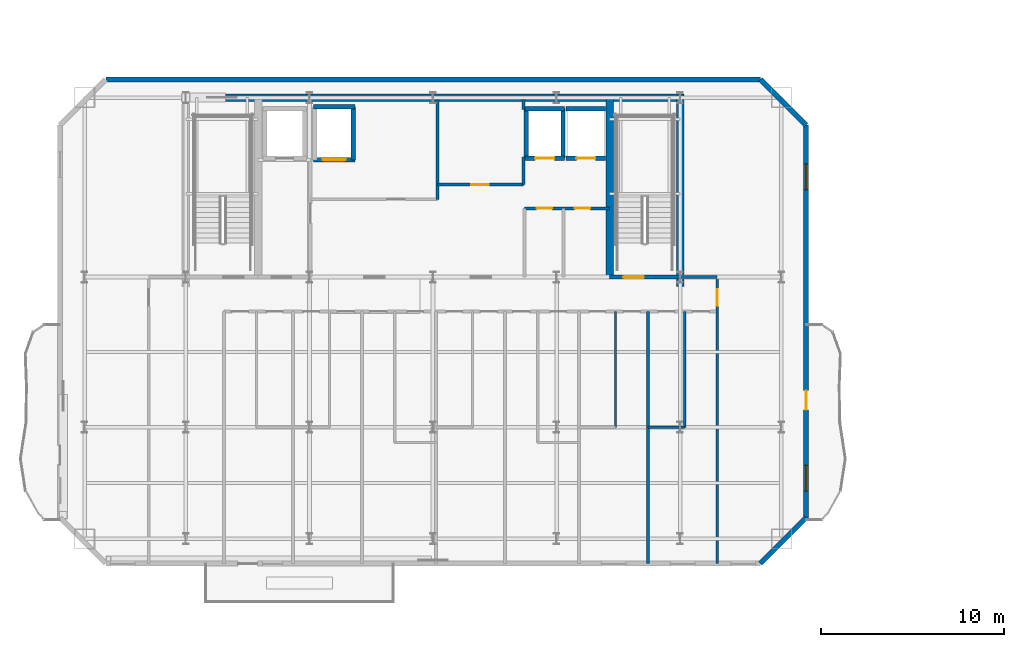
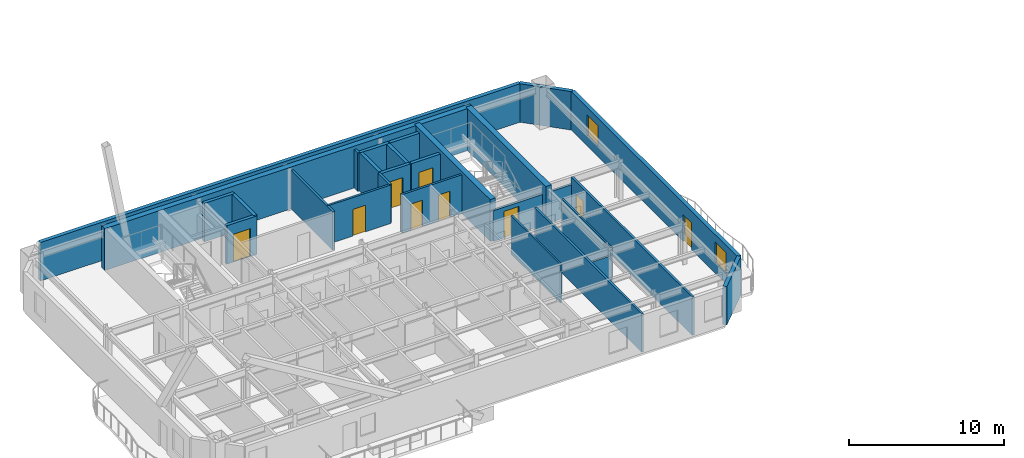
# One storey, part 7 of 14: 28 walls, 9 doors, 2 windows, 11 openings.
"""IFC4 building model written with IfcOpenShell, lengths in metres."""

from ifc_helpers import new_model, si_unit, direction, frame, frame_2d, origin, place, context, subcontext, project, spatial, rectangle, extrude, material, layer, layer_set, type_object, element, fill, save


model = new_model("IFC4")

# Units and contexts
model_context = context("Model", 3, precision=1e-05, world=origin(), true_north=direction((0.0, 1.0)))
body_context = subcontext(model_context, "Body", "Model", "MODEL_VIEW")
ifc_project = project(units=[si_unit("LENGTHUNIT", "METRE"), si_unit("AREAUNIT", "SQUARE_METRE"), si_unit("VOLUMEUNIT", "CUBIC_METRE"), si_unit("PLANEANGLEUNIT", "RADIAN"), si_unit("MASSUNIT", "GRAM", prefix="KILO")], contexts=[model_context])

# Site, building, storey
site_placement = place(None, origin())
site = spatial("IfcSite", under=ifc_project, at=site_placement, CompositionType="ELEMENT")
building_placement = place(site_placement, origin())
building = spatial("IfcBuilding", under=site, at=building_placement, Name="Haevon Station Towers", CompositionType="ELEMENT")
storey_placement = place(building_placement, frame((0.0, 0.0, 208.800048828125)))
storey = spatial("IfcBuildingStorey", under=building, at=storey_placement, Name="L57", CompositionType="ELEMENT", Elevation=208.800048828125)

# Wall
ifc_material_1 = material(Name="Gypsum board on steel stud", Category="steel")
ifc_layer_1 = layer(ifc_material_1, 0.179931640625)
ifc_layer_set_1 = layer_set([ifc_layer_1], Name="Gypsum board on steel stud")
wall_type_1 = type_object("IfcWallType", Name="WL-ACU180", PredefinedType="PARTITIONING", material=ifc_layer_set_1)
wall_1_placement = place(storey_placement, frame((51.0, 38.199951171875, 0.0), z_axis=(0.0, 0.0, 1.0), x_axis=(1.0, 0.0, 0.0)))
element("IfcWall", 1, at=wall_1_placement, inside=storey, type_object=wall_type_1, Name="WL-T1PT-L57-03", PredefinedType="PARTITIONING", context=body_context, shape_type="SweptSolid", body=[
    extrude(rectangle(XDim=2.02490234375, YDim=0.179931640625, at=frame_2d((1.012451171875, 0.0))), origin(), (0.0, 0.0, 1.0), 2.429931640625),
])

# Wall, opening, door
ifc_layer_2 = layer(ifc_material_1, 0.199951171875)
ifc_layer_set_2 = layer_set([ifc_layer_2], Name="Gypsum board on steel stud")
wall_type_2 = type_object("IfcWallType", Name="WL-COR200", PredefinedType="PARTITIONING", material=ifc_layer_set_2)
wall_2_placement = place(storey_placement, frame((47.14990234375, 38.199951171875, 0.0), z_axis=(0.0, 0.0, 1.0), x_axis=(1.0, 0.0, 0.0)))
wall_2 = element("IfcWall", 2, at=wall_2_placement, inside=storey, type_object=wall_type_2, Name="WL-ST-ST2-L57", PredefinedType="PARTITIONING", context=body_context, shape_type="SweptSolid", body=[
    extrude(rectangle(XDim=3.85009765625, YDim=0.199951171875, at=frame_2d((1.925048828125, 0.0))), origin(), (0.0, 0.0, 1.0), 2.429931640625),
])
opening_1_placement = place(wall_2_placement, frame((0.75, 0.0, 0.0)))
opening_1 = element("IfcOpeningElement", 3, at=opening_1_placement, cuts=wall_2, Name="Opening DR-ST-ST2-L57", PredefinedType="OPENING", context=body_context, shape_type="SweptSolid", body=[
    extrude(rectangle(XDim=1.1201171875, YDim=2.10009765625, at=frame_2d((0.56005859375, 1.050048828125))), frame((0.0, 0.10986328125, 0.0), z_axis=(0.0, -1.0, 0.0), x_axis=(1.0, 0.0, 0.0)), (0.0, 0.0, 1.0), 0.219970703125),
])
ifc_material_2 = material(Name="Engineered oak timber", Category="wood")
door_type_1 = type_object("IfcDoorType", Name="DR-ST-1120", OperationType="NOTDEFINED", PredefinedType="DOOR", material=ifc_material_2)
door_1_placement = place(opening_1_placement, origin())
door_1 = element("IfcDoor", 4, at=door_1_placement, inside=storey, type_object=door_type_1, Name="L57 Escape Stair ST2 Fire Door", OperationType="SINGLE_SWING_RIGHT", OverallHeight=2.10009765625, OverallWidth=1.1201171875, PredefinedType="DOOR", context=body_context, shape_type="SweptSolid", body=[
    extrude(rectangle(XDim=1.1201171875, YDim=2.10009765625, at=frame_2d((0.56005859375, 1.050048828125))), frame((0.0, 0.02490234375, 0.0), z_axis=(0.0, -1.0, 0.0), x_axis=(1.0, 0.0, 0.0)), (0.0, 0.0, 1.0), 0.050048828125),
])
fill(opening_1, door_1)

# Walls
ifc_material_3 = material(Name="Concrete C60/75", Category="concrete")
ifc_layer_3 = layer(ifc_material_3, 0.39990234375)
ifc_layer_set_3 = layer_set([ifc_layer_3], Name="Concrete C60/75")
wall_type_3 = type_object("IfcWallType", Name="WL-CR400", PredefinedType="SHEAR", material=ifc_layer_set_3)
wall_3_placement = place(storey_placement, frame((23.800048828125, 48.0, 0.0), z_axis=(0.0, 0.0, 1.0), x_axis=(1.0, 0.0, 0.0)))
element("IfcWall", 5, at=wall_3_placement, inside=storey, type_object=wall_type_3, Name="WL-T1CR-L57-N", PredefinedType="SHEAR", context=body_context, shape_type="SweptSolid", body=[
    extrude(rectangle(XDim=27.39990234375, YDim=0.39990234375, at=frame_2d((13.699951171875, 0.0))), origin(), (0.0, 0.0, 1.0), 3.300048828125),
])
wall_4_placement = place(storey_placement, frame((51.0, 37.679931640625, 0.0), z_axis=(0.0, 0.0, 1.0), x_axis=(0.0, 1.0, 0.0)))
element("IfcWall", 6, at=wall_4_placement, inside=storey, type_object=wall_type_3, Name="WL-T1CR-L57-E", PredefinedType="SHEAR", context=body_context, shape_type="SweptSolid", body=[
    extrude(rectangle(XDim=10.320068359375, YDim=0.39990234375, at=frame_2d((5.16015625, 0.0))), origin(), (0.0, 0.0, 1.0), 3.300048828125),
])
wall_5_placement = place(storey_placement, frame((47.14990234375, 38.199951171875, 0.0), z_axis=(0.0, 0.0, 1.0), x_axis=(0.0, 1.0, 0.0)))
element("IfcWall", 7, at=wall_5_placement, inside=storey, type_object=wall_type_3, Name="WL-T1CR-L57-M2", PredefinedType="SHEAR", context=body_context, shape_type="SweptSolid", body=[
    extrude(rectangle(XDim=9.800048828125, YDim=0.39990234375, at=frame_2d((4.89990234375, 0.0))), origin(), (0.0, 0.0, 1.0), 3.300048828125),
])
ifc_material_4 = material(Name="Precast concrete C45/55", Category="concrete")
ifc_layer_4 = layer(ifc_material_4, 0.280029296875)
ifc_layer_set_4 = layer_set([ifc_layer_4], Name="Precast concrete C45/55")
wall_type_4 = type_object("IfcWallType", Name="WL-EXT-PIER280", PredefinedType="SOLIDWALL", material=ifc_layer_set_4)
wall_6_placement = place(storey_placement, frame((19.625, 49.0, 0.0), z_axis=(0.0, 0.0, 1.0), x_axis=(1.0, 0.0, 0.0)))
element("IfcWall", 8, at=wall_6_placement, inside=storey, type_object=wall_type_4, Name="WL-T1-L57-N", PredefinedType="SOLIDWALL", context=body_context, shape_type="SweptSolid", body=[
    extrude(rectangle(XDim=35.75, YDim=0.280029296875, at=frame_2d((17.875, 0.0))), origin(), (0.0, 0.0, 1.0), 3.030029296875),
])
wall_7_placement = place(storey_placement, frame((55.375, 49.0, 0.0), z_axis=(0.0, 0.0, 1.0), x_axis=(0.707106781187, -0.707106781187, 0.0)))
element("IfcWall", 9, at=wall_7_placement, inside=storey, type_object=wall_type_4, Name="WL-T1-L57-NEC", PredefinedType="SOLIDWALL", context=body_context, shape_type="SweptSolid", body=[
    extrude(rectangle(XDim=3.53564453125, YDim=0.280029296875, at=frame_2d((1.767822265625, 0.0))), origin(), (0.0, 0.0, 1.0), 3.030029296875),
])

# Wall, openings, door, windows
wall_8_placement = place(storey_placement, frame((57.875, 46.5, 0.0), z_axis=(0.0, 0.0, 1.0), x_axis=(0.0, -1.0, 0.0)))
wall_8 = element("IfcWall", 10, at=wall_8_placement, inside=storey, type_object=wall_type_4, Name="WL-T1-L57-E", PredefinedType="SOLIDWALL", context=body_context, shape_type="SweptSolid", body=[
    extrude(rectangle(XDim=21.449951171875, YDim=0.280029296875, at=frame_2d((10.72509765625, 0.0))), origin(), (0.0, 0.0, 1.0), 3.030029296875),
])
opening_2_placement = place(wall_8_placement, frame((14.5, 0.0, 0.0)))
opening_2 = element("IfcOpeningElement", 11, at=opening_2_placement, cuts=wall_8, Name="Opening DR-T1-SCAL-L57-E", PredefinedType="OPENING", context=body_context, shape_type="SweptSolid", body=[
    extrude(rectangle(XDim=1.050048828125, YDim=2.10009765625, at=frame_2d((0.52490234375, 1.050048828125))), frame((0.0, 0.14990234375, 0.0), z_axis=(0.0, -1.0, 0.0), x_axis=(1.0, 0.0, 0.0)), (0.0, 0.0, 1.0), 0.300048828125),
])
opening_3_placement = place(wall_8_placement, frame((2.117919921875, 0.0, 0.800048828125)))
opening_3 = element("IfcOpeningElement", 12, at=opening_3_placement, cuts=wall_8, Name="Opening WN-END140", PredefinedType="OPENING", context=body_context, shape_type="SweptSolid", body=[
    extrude(rectangle(XDim=1.39990234375, YDim=1.64990234375, at=frame_2d((0.699951171875, 0.824951171875))), frame((0.0, 0.14990234375, 0.0), z_axis=(0.0, -1.0, 0.0), x_axis=(1.0, 0.0, 0.0)), (0.0, 0.0, 1.0), 0.300048828125),
])
opening_4_placement = place(wall_8_placement, frame((18.591064453125, 0.0, 0.800048828125)))
opening_4 = element("IfcOpeningElement", 13, at=opening_4_placement, cuts=wall_8, Name="Opening WN-END140", PredefinedType="OPENING", context=body_context, shape_type="SweptSolid", body=[
    extrude(rectangle(XDim=1.39990234375, YDim=1.64990234375, at=frame_2d((0.699951171875, 0.824951171875))), frame((0.0, 0.14990234375, 0.0), z_axis=(0.0, -1.0, 0.0), x_axis=(1.0, 0.0, 0.0)), (0.0, 0.0, 1.0), 0.300048828125),
])
ifc_material_5 = material(Name="Thermally broken anodised aluminium and laminated safety glass", Category="aluminium")
door_type_2 = type_object("IfcDoorType", Name="DR-BALC-1050", OperationType="NOTDEFINED", PredefinedType="DOOR", material=ifc_material_5)
door_2_placement = place(opening_2_placement, origin())
door_2 = element("IfcDoor", 14, at=door_2_placement, inside=storey, type_object=door_type_2, Name="Tower 1 L57 East Scalloped Balcony Door", OperationType="SINGLE_SWING_LEFT", OverallHeight=2.10009765625, OverallWidth=1.050048828125, PredefinedType="DOOR", context=body_context, shape_type="SweptSolid", body=[
    extrude(rectangle(XDim=1.050048828125, YDim=2.10009765625, at=frame_2d((0.52490234375, 1.050048828125))), frame((0.0, 0.02490234375, 0.0), z_axis=(0.0, -1.0, 0.0), x_axis=(1.0, 0.0, 0.0)), (0.0, 0.0, 1.0), 0.050048828125),
])
fill(opening_2, door_2)
ifc_material_6 = material(Name="Low-E triple glazing in thermally broken aluminium", Category="aluminium")
window_type = type_object("IfcWindowType", Name="WN-END140", PartitioningType="SINGLE_PANEL", PredefinedType="WINDOW", material=ifc_material_6)
window_1_placement = place(opening_3_placement, origin())
window_1 = element("IfcWindow", 15, at=window_1_placement, inside=storey, type_object=window_type, Name="WN-T1-L57-E01", OverallHeight=1.64990234375, OverallWidth=1.39990234375, PartitioningType="SINGLE_PANEL", PredefinedType="WINDOW", context=body_context, shape_type="SweptSolid", body=[
    extrude(rectangle(XDim=1.39990234375, YDim=1.64990234375, at=frame_2d((0.699951171875, 0.824951171875))), frame((0.0, 0.030029296875, 0.0), z_axis=(0.0, -1.0, 0.0), x_axis=(1.0, 0.0, 0.0)), (0.0, 0.0, 1.0), 0.06005859375),
])
fill(opening_3, window_1)
window_2_placement = place(opening_4_placement, origin())
window_2 = element("IfcWindow", 16, at=window_2_placement, inside=storey, type_object=window_type, Name="WN-T1-L57-E02", OverallHeight=1.64990234375, OverallWidth=1.39990234375, PartitioningType="SINGLE_PANEL", PredefinedType="WINDOW", context=body_context, shape_type="SweptSolid", body=[
    extrude(rectangle(XDim=1.39990234375, YDim=1.64990234375, at=frame_2d((0.699951171875, 0.824951171875))), frame((0.0, 0.030029296875, 0.0), z_axis=(0.0, -1.0, 0.0), x_axis=(1.0, 0.0, 0.0)), (0.0, 0.0, 1.0), 0.06005859375),
])
fill(opening_4, window_2)

# Walls
wall_9_placement = place(storey_placement, frame((57.875, 25.050048828125, 0.0), z_axis=(0.0, 0.0, 1.0), x_axis=(-0.707106781187, -0.707106781187, 0.0)))
element("IfcWall", 17, at=wall_9_placement, inside=storey, type_object=wall_type_4, Name="WL-T1-L57-SEC", PredefinedType="SOLIDWALL", context=body_context, shape_type="SweptSolid", body=[
    extrude(rectangle(XDim=3.53564453125, YDim=0.280029296875, at=frame_2d((1.767822265625, 0.0))), origin(), (0.0, 0.0, 1.0), 3.030029296875),
])
ifc_layer_5 = layer(ifc_material_1, 0.125)
ifc_layer_set_5 = layer_set([ifc_layer_5], Name="Gypsum board on steel stud")
wall_type_5 = type_object("IfcWallType", Name="WL-PRT125", PredefinedType="PARTITIONING", material=ifc_layer_set_5)
wall_10_placement = place(storey_placement, frame((47.47265625, 29.990966796875, 0.0), z_axis=(0.0, 0.0, 1.0), x_axis=(0.0, 1.0, 0.0)))
element("IfcWall", 18, at=wall_10_placement, inside=storey, type_object=wall_type_5, Name="WL-T1PT-L57-22", PredefinedType="PARTITIONING", context=body_context, shape_type="SweptSolid", body=[
    extrude(rectangle(XDim=6.3291015625, YDim=0.125, at=frame_2d((3.16455078125, 0.0))), origin(), (0.0, 0.0, 1.0), 3.030029296875),
])
wall_11_placement = place(storey_placement, frame((49.252685546875, 29.990966796875, 0.0), z_axis=(0.0, 0.0, 1.0), x_axis=(1.0, 0.0, 0.0)))
element("IfcWall", 19, at=wall_11_placement, inside=storey, type_object=wall_type_5, Name="WL-T1PT-L57-24", PredefinedType="PARTITIONING", context=body_context, shape_type="SweptSolid", body=[
    extrude(rectangle(XDim=1.992431640625, YDim=0.125, at=frame_2d((0.99609375, 0.0))), origin(), (0.0, 0.0, 1.0), 2.429931640625),
])
wall_12_placement = place(storey_placement, frame((51.2451171875, 29.990966796875, 0.0), z_axis=(0.0, 0.0, 1.0), x_axis=(0.0, 1.0, 0.0)))
element("IfcWall", 20, at=wall_12_placement, inside=storey, type_object=wall_type_5, Name="WL-T1PT-L57-25", PredefinedType="PARTITIONING", context=body_context, shape_type="SweptSolid", body=[
    extrude(rectangle(XDim=6.3291015625, YDim=0.125, at=frame_2d((3.16455078125, 0.0))), origin(), (0.0, 0.0, 1.0), 3.030029296875),
])
ifc_layer_6 = layer(ifc_material_1, 0.159912109375)
ifc_layer_set_6 = layer_set([ifc_layer_6], Name="Gypsum board on steel stud")
wall_type_6 = type_object("IfcWallType", Name="WL-PRT160", PredefinedType="PARTITIONING", material=ifc_layer_set_6)
wall_13_placement = place(storey_placement, frame((37.75, 42.449951171875, 0.0), z_axis=(0.0, 0.0, 1.0), x_axis=(0.0, 1.0, 0.0)))
element("IfcWall", 21, at=wall_13_placement, inside=storey, type_object=wall_type_6, Name="WL-T1CW-L57-02", PredefinedType="PARTITIONING", context=body_context, shape_type="SweptSolid", body=[
    extrude(rectangle(XDim=5.449951171875, YDim=0.159912109375, at=frame_2d((2.72509765625, 0.0))), origin(), (0.0, 0.0, 1.0), 3.030029296875),
])

# Wall, opening, door
wall_14_placement = place(storey_placement, frame((37.75, 43.25, 0.0), z_axis=(0.0, 0.0, 1.0), x_axis=(1.0, 0.0, 0.0)))
wall_14 = element("IfcWall", 22, at=wall_14_placement, inside=storey, type_object=wall_type_6, Name="WL-T1CW-L57-03", PredefinedType="PARTITIONING", context=body_context, shape_type="SweptSolid", body=[
    extrude(rectangle(XDim=4.699951171875, YDim=0.159912109375, at=frame_2d((2.35009765625, 0.0))), origin(), (0.0, 0.0, 1.0), 3.030029296875),
])
opening_5_placement = place(wall_14_placement, frame((1.85009765625, 0.0, 0.0)))
opening_5 = element("IfcOpeningElement", 23, at=opening_5_placement, cuts=wall_14, Name="Opening DR-WL-T1CW-L57-03-1", PredefinedType="OPENING", context=body_context, shape_type="SweptSolid", body=[
    extrude(rectangle(XDim=0.949951171875, YDim=2.10009765625, at=frame_2d((0.47509765625, 1.050048828125))), frame((0.0, 0.08984375, 0.0), z_axis=(0.0, -1.0, 0.0), x_axis=(1.0, 0.0, 0.0)), (0.0, 0.0, 1.0), 0.179931640625),
])
door_type_3 = type_object("IfcDoorType", Name="DR-FD60-950", OperationType="NOTDEFINED", PredefinedType="DOOR", material=ifc_material_2)
door_3_placement = place(opening_5_placement, origin())
door_3 = element("IfcDoor", 24, at=door_3_placement, inside=storey, type_object=door_type_3, Name="L57 Tower 1 Core Room Door 3-1", OperationType="SINGLE_SWING_RIGHT", OverallHeight=2.10009765625, OverallWidth=0.949951171875, PredefinedType="DOOR", context=body_context, shape_type="SweptSolid", body=[
    extrude(rectangle(XDim=0.949951171875, YDim=2.10009765625, at=frame_2d((0.47509765625, 1.050048828125))), frame((0.0, 0.02490234375, 0.0), z_axis=(0.0, -1.0, 0.0), x_axis=(1.0, 0.0, 0.0)), (0.0, 0.0, 1.0), 0.050048828125),
])
fill(opening_5, door_3)

# Walls
wall_15_placement = place(storey_placement, frame((42.449951171875, 43.25, 0.0), z_axis=(0.0, 0.0, 1.0), x_axis=(0.0, 1.0, 0.0)))
element("IfcWall", 25, at=wall_15_placement, inside=storey, type_object=wall_type_6, Name="WL-T1CW-L57-04", PredefinedType="PARTITIONING", context=body_context, shape_type="SweptSolid", body=[
    extrude(rectangle(XDim=1.5, YDim=0.159912109375, at=frame_2d((0.75, 0.0))), origin(), (0.0, 0.0, 1.0), 3.030029296875),
])
wall_16_placement = place(storey_placement, frame((42.449951171875, 47.35009765625, 0.0), z_axis=(0.0, 0.0, 1.0), x_axis=(0.0, 1.0, 0.0)))
element("IfcWall", 26, at=wall_16_placement, inside=storey, type_object=wall_type_6, Name="WL-T1CW-L57-05", PredefinedType="PARTITIONING", context=body_context, shape_type="SweptSolid", body=[
    extrude(rectangle(XDim=0.5498046875, YDim=0.159912109375, at=frame_2d((0.27490234375, 0.0))), origin(), (0.0, 0.0, 1.0), 3.030029296875),
])

# Wall, openings, doors
wall_17_placement = place(storey_placement, frame((42.5, 41.949951171875, 0.0), z_axis=(0.0, 0.0, 1.0), x_axis=(1.0, 0.0, 0.0)))
wall_17 = element("IfcWall", 27, at=wall_17_placement, inside=storey, type_object=wall_type_6, Name="WL-T1CW-L57-08", PredefinedType="PARTITIONING", context=body_context, shape_type="SweptSolid", body=[
    extrude(rectangle(XDim=4.64990234375, YDim=0.159912109375, at=frame_2d((2.324951171875, 0.0))), origin(), (0.0, 0.0, 1.0), 3.030029296875),
])
opening_6_placement = place(wall_17_placement, frame((0.659912109375, 0.0, 0.0)))
opening_6 = element("IfcOpeningElement", 28, at=opening_6_placement, cuts=wall_17, Name="Opening DR-WL-T1CW-L57-08-1", PredefinedType="OPENING", context=body_context, shape_type="SweptSolid", body=[
    extrude(rectangle(XDim=0.85009765625, YDim=2.050048828125, at=frame_2d((0.425048828125, 1.02490234375))), frame((0.0, 0.08984375, 0.0), z_axis=(0.0, -1.0, 0.0), x_axis=(1.0, 0.0, 0.0)), (0.0, 0.0, 1.0), 0.179931640625),
])
opening_7_placement = place(wall_17_placement, frame((2.72998046875, 0.0, 0.0)))
opening_7 = element("IfcOpeningElement", 29, at=opening_7_placement, cuts=wall_17, Name="Opening DR-WL-T1CW-L57-08-2", PredefinedType="OPENING", context=body_context, shape_type="SweptSolid", body=[
    extrude(rectangle(XDim=0.85009765625, YDim=2.050048828125, at=frame_2d((0.425048828125, 1.02490234375))), frame((0.0, 0.08984375, 0.0), z_axis=(0.0, -1.0, 0.0), x_axis=(1.0, 0.0, 0.0)), (0.0, 0.0, 1.0), 0.179931640625),
])
door_type_4 = type_object("IfcDoorType", Name="DR-FD30-850", OperationType="NOTDEFINED", PredefinedType="DOOR", material=ifc_material_2)
door_4_placement = place(opening_6_placement, origin())
door_4 = element("IfcDoor", 30, at=door_4_placement, inside=storey, type_object=door_type_4, Name="L57 Tower 1 Core Room Door 8-1", OperationType="SINGLE_SWING_LEFT", OverallHeight=2.050048828125, OverallWidth=0.85009765625, PredefinedType="DOOR", context=body_context, shape_type="SweptSolid", body=[
    extrude(rectangle(XDim=0.85009765625, YDim=2.050048828125, at=frame_2d((0.425048828125, 1.02490234375))), frame((0.0, 0.02490234375, 0.0), z_axis=(0.0, -1.0, 0.0), x_axis=(1.0, 0.0, 0.0)), (0.0, 0.0, 1.0), 0.050048828125),
])
fill(opening_6, door_4)
door_5_placement = place(opening_7_placement, origin())
door_5 = element("IfcDoor", 31, at=door_5_placement, inside=storey, type_object=door_type_4, Name="L57 Tower 1 Core Room Door 8-2", OperationType="SINGLE_SWING_RIGHT", OverallHeight=2.050048828125, OverallWidth=0.85009765625, PredefinedType="DOOR", context=body_context, shape_type="SweptSolid", body=[
    extrude(rectangle(XDim=0.85009765625, YDim=2.050048828125, at=frame_2d((0.425048828125, 1.02490234375))), frame((0.0, 0.02490234375, 0.0), z_axis=(0.0, -1.0, 0.0), x_axis=(1.0, 0.0, 0.0)), (0.0, 0.0, 1.0), 0.050048828125),
])
fill(opening_7, door_5)

# Wall, opening, door
wall_18_placement = place(storey_placement, frame((53.02490234375, 22.550048828125, 0.0), z_axis=(0.0, 0.0, 1.0), x_axis=(0.0, 1.0, 0.0)))
wall_18 = element("IfcWall", 32, at=wall_18_placement, inside=storey, type_object=wall_type_6, Name="WL-T1PT-L57-05", PredefinedType="PARTITIONING", context=body_context, shape_type="SweptSolid", body=[
    extrude(rectangle(XDim=15.64990234375, YDim=0.159912109375, at=frame_2d((7.824951171875, 0.0))), origin(), (0.0, 0.0, 1.0), 3.030029296875),
])
opening_8_placement = place(wall_18_placement, frame((14.090087890625, 0.0, 0.0)))
opening_8 = element("IfcOpeningElement", 33, at=opening_8_placement, cuts=wall_18, Name="Opening DR-WL-T1PT-L57-05-01", PredefinedType="OPENING", context=body_context, shape_type="SweptSolid", body=[
    extrude(rectangle(XDim=0.89990234375, YDim=2.050048828125, at=frame_2d((0.449951171875, 1.02490234375))), frame((0.0, 0.08984375, 0.0), z_axis=(0.0, -1.0, 0.0), x_axis=(1.0, 0.0, 0.0)), (0.0, 0.0, 1.0), 0.179931640625),
])
door_type_5 = type_object("IfcDoorType", Name="DR-INT-900", OperationType="NOTDEFINED", PredefinedType="DOOR", material=ifc_material_2)
door_6_placement = place(opening_8_placement, origin())
door_6 = element("IfcDoor", 34, at=door_6_placement, inside=storey, type_object=door_type_5, Name="L57 Tower 1 Room Door 5-1", OperationType="SINGLE_SWING_RIGHT", OverallHeight=2.050048828125, OverallWidth=0.89990234375, PredefinedType="DOOR", context=body_context, shape_type="SweptSolid", body=[
    extrude(rectangle(XDim=0.89990234375, YDim=2.050048828125, at=frame_2d((0.449951171875, 1.02490234375))), frame((0.0, 0.02490234375, 0.0), z_axis=(0.0, -1.0, 0.0), x_axis=(1.0, 0.0, 0.0)), (0.0, 0.0, 1.0), 0.050048828125),
])
fill(opening_8, door_6)

# Wall
wall_19_placement = place(storey_placement, frame((49.252685546875, 22.550048828125, 0.0), z_axis=(0.0, 0.0, 1.0), x_axis=(0.0, 1.0, 0.0)))
element("IfcWall", 35, at=wall_19_placement, inside=storey, type_object=wall_type_6, Name="WL-T1PT-L57-23", PredefinedType="PARTITIONING", context=body_context, shape_type="SweptSolid", body=[
    extrude(rectangle(XDim=13.77001953125, YDim=0.159912109375, at=frame_2d((6.885009765625, 0.0))), origin(), (0.0, 0.0, 1.0), 3.030029296875),
])

# Wall, opening, door
ifc_material_7 = material(Name="Concrete C40/50", Category="concrete")
ifc_layer_7 = layer(ifc_material_7, 0.239990234375)
ifc_layer_set_7 = layer_set([ifc_layer_7], Name="Concrete C40/50")
wall_type_7 = type_object("IfcWallType", Name="WL-SHF240", PredefinedType="PARTITIONING", material=ifc_layer_set_7)
wall_20_placement = place(storey_placement, frame((30.969970703125, 44.60009765625, 0.0), z_axis=(0.0, 0.0, 1.0), x_axis=(1.0, 0.0, 0.0)))
wall_20 = element("IfcWall", 36, at=wall_20_placement, inside=storey, type_object=wall_type_7, Name="WL-SHF-SL1-L57", PredefinedType="PARTITIONING", context=body_context, shape_type="SweptSolid", body=[
    extrude(rectangle(XDim=2.260009765625, YDim=0.239990234375, at=frame_2d((1.1298828125, 0.0))), origin(), (0.0, 0.0, 1.0), 3.030029296875),
])
opening_9_placement = place(wall_20_placement, frame((0.5048828125, 0.0, 0.0)))
opening_9 = element("IfcOpeningElement", 37, at=opening_9_placement, cuts=wall_20, Name="Opening LD-SL1-L57", PredefinedType="OPENING", context=body_context, shape_type="SweptSolid", body=[
    extrude(rectangle(XDim=1.25, YDim=2.199951171875, at=frame_2d((0.625, 1.10009765625))), frame((0.0, 0.1298828125, 0.0), z_axis=(0.0, -1.0, 0.0), x_axis=(1.0, 0.0, 0.0)), (0.0, 0.0, 1.0), 0.260009765625),
])
ifc_material_8 = material(Name="Stainless steel and rated core", Category="steel")
door_type_6 = type_object("IfcDoorType", Name="LD-SL1250", OperationType="SLIDING_TO_LEFT", PredefinedType="DOOR", material=ifc_material_8)
door_7_placement = place(opening_9_placement, origin())
door_7 = element("IfcDoor", 38, at=door_7_placement, inside=storey, type_object=door_type_6, Name="L57 Lift SL1 Sliding Landing Door", OperationType="SLIDING_TO_LEFT", OverallHeight=2.199951171875, OverallWidth=1.25, PredefinedType="DOOR", context=body_context, shape_type="SweptSolid", body=[
    extrude(rectangle(XDim=1.25, YDim=2.199951171875, at=frame_2d((0.625, 1.10009765625))), frame((0.0, 0.02490234375, 0.0), z_axis=(0.0, -1.0, 0.0), x_axis=(1.0, 0.0, 0.0)), (0.0, 0.0, 1.0), 0.050048828125),
])
fill(opening_9, door_7)

# Walls
wall_21_placement = place(storey_placement, frame((30.969970703125, 47.5, 0.0), z_axis=(0.0, 0.0, 1.0), x_axis=(1.0, 0.0, 0.0)))
element("IfcWall", 39, at=wall_21_placement, inside=storey, type_object=wall_type_7, Name="WL-SHF-SL1-L57-N", PredefinedType="PARTITIONING", context=body_context, shape_type="SweptSolid", body=[
    extrude(rectangle(XDim=2.260009765625, YDim=0.239990234375, at=frame_2d((1.1298828125, 0.0))), origin(), (0.0, 0.0, 1.0), 3.030029296875),
])
wall_22_placement = place(storey_placement, frame((33.14990234375, 44.60009765625, 0.0), z_axis=(0.0, 0.0, 1.0), x_axis=(0.0, 1.0, 0.0)))
element("IfcWall", 40, at=wall_22_placement, inside=storey, type_object=wall_type_7, Name="WL-SHF-SL1-L57-E", PredefinedType="PARTITIONING", context=body_context, shape_type="SweptSolid", body=[
    extrude(rectangle(XDim=2.89990234375, YDim=0.239990234375, at=frame_2d((1.449951171875, 0.0))), origin(), (0.0, 0.0, 1.0), 3.030029296875),
])

# Wall, opening, door
wall_23_placement = place(storey_placement, frame((42.52001953125, 44.699951171875, 0.0), z_axis=(0.0, 0.0, 1.0), x_axis=(1.0, 0.0, 0.0)))
wall_23 = element("IfcWall", 41, at=wall_23_placement, inside=storey, type_object=wall_type_7, Name="WL-SHF-PL5-L57", PredefinedType="PARTITIONING", context=body_context, shape_type="SweptSolid", body=[
    extrude(rectangle(XDim=2.159912109375, YDim=0.239990234375, at=frame_2d((1.080078125, 0.0))), origin(), (0.0, 0.0, 1.0), 3.030029296875),
])
opening_10_placement = place(wall_23_placement, frame((0.554931640625, 0.0, 0.0)))
opening_10 = element("IfcOpeningElement", 42, at=opening_10_placement, cuts=wall_23, Name="Opening LD-PL5-L57", PredefinedType="OPENING", context=body_context, shape_type="SweptSolid", body=[
    extrude(rectangle(XDim=1.050048828125, YDim=2.14990234375, at=frame_2d((0.52490234375, 1.074951171875))), frame((0.0, 0.1298828125, 0.0), z_axis=(0.0, -1.0, 0.0), x_axis=(1.0, 0.0, 0.0)), (0.0, 0.0, 1.0), 0.260009765625),
])
door_type_7 = type_object("IfcDoorType", Name="LD-PL1050", OperationType="SLIDING_TO_LEFT", PredefinedType="DOOR", material=ifc_material_8)
door_8_placement = place(opening_10_placement, origin())
door_8 = element("IfcDoor", 43, at=door_8_placement, inside=storey, type_object=door_type_7, Name="L57 Lift PL5 Sliding Landing Door", OperationType="SLIDING_TO_LEFT", OverallHeight=2.14990234375, OverallWidth=1.050048828125, PredefinedType="DOOR", context=body_context, shape_type="SweptSolid", body=[
    extrude(rectangle(XDim=1.050048828125, YDim=2.14990234375, at=frame_2d((0.52490234375, 1.074951171875))), frame((0.0, 0.02490234375, 0.0), z_axis=(0.0, -1.0, 0.0), x_axis=(1.0, 0.0, 0.0)), (0.0, 0.0, 1.0), 0.050048828125),
])
fill(opening_10, door_8)

# Walls
wall_24_placement = place(storey_placement, frame((42.52001953125, 47.39990234375, 0.0), z_axis=(0.0, 0.0, 1.0), x_axis=(1.0, 0.0, 0.0)))
element("IfcWall", 44, at=wall_24_placement, inside=storey, type_object=wall_type_7, Name="WL-SHF-PL5-L57-N", PredefinedType="PARTITIONING", context=body_context, shape_type="SweptSolid", body=[
    extrude(rectangle(XDim=2.159912109375, YDim=0.239990234375, at=frame_2d((1.080078125, 0.0))), origin(), (0.0, 0.0, 1.0), 3.030029296875),
])
for number, where, z_axis, x_axis, name in (
    (45, (42.60009765625, 44.699951171875, 0.0), (0.0, 0.0, 1.0), (0.0, 1.0, 0.0), "WL-SHF-PL5-L57-W"),
    (46, (44.60009765625, 44.699951171875, 0.0), (0.0, 0.0, 1.0), (0.0, 1.0, 0.0), "WL-SHF-PL5-L57-E"),
):
    element("IfcWall", number, at=place(storey_placement, frame(where, z_axis=z_axis, x_axis=x_axis)), inside=storey, type_object=wall_type_7, Name=name, PredefinedType="PARTITIONING", context=body_context, shape_type="SweptSolid", body=[
        extrude(rectangle(XDim=2.699951171875, YDim=0.239990234375, at=frame_2d((1.35009765625, 0.0))), origin(), (0.0, 0.0, 1.0), 3.030029296875),
    ])

# Wall, opening, door
wall_25_placement = place(storey_placement, frame((44.77001953125, 44.699951171875, 0.0), z_axis=(0.0, 0.0, 1.0), x_axis=(1.0, 0.0, 0.0)))
wall_25 = element("IfcWall", 47, at=wall_25_placement, inside=storey, type_object=wall_type_7, Name="WL-SHF-PL6-L57", PredefinedType="PARTITIONING", context=body_context, shape_type="SweptSolid", body=[
    extrude(rectangle(XDim=2.159912109375, YDim=0.239990234375, at=frame_2d((1.080078125, 0.0))), origin(), (0.0, 0.0, 1.0), 3.030029296875),
])
opening_11_placement = place(wall_25_placement, frame((0.554931640625, 0.0, 0.0)))
opening_11 = element("IfcOpeningElement", 48, at=opening_11_placement, cuts=wall_25, Name="Opening LD-PL6-L57", PredefinedType="OPENING", context=body_context, shape_type="SweptSolid", body=[
    extrude(rectangle(XDim=1.050048828125, YDim=2.14990234375, at=frame_2d((0.52490234375, 1.074951171875))), frame((0.0, 0.1298828125, 0.0), z_axis=(0.0, -1.0, 0.0), x_axis=(1.0, 0.0, 0.0)), (0.0, 0.0, 1.0), 0.260009765625),
])
door_9_placement = place(opening_11_placement, origin())
door_9 = element("IfcDoor", 49, at=door_9_placement, inside=storey, type_object=door_type_7, Name="L57 Lift PL6 Sliding Landing Door", OperationType="SLIDING_TO_LEFT", OverallHeight=2.14990234375, OverallWidth=1.050048828125, PredefinedType="DOOR", context=body_context, shape_type="SweptSolid", body=[
    extrude(rectangle(XDim=1.050048828125, YDim=2.14990234375, at=frame_2d((0.52490234375, 1.074951171875))), frame((0.0, 0.02490234375, 0.0), z_axis=(0.0, -1.0, 0.0), x_axis=(1.0, 0.0, 0.0)), (0.0, 0.0, 1.0), 0.050048828125),
])
fill(opening_11, door_9)

# Wall
wall_26_placement = place(storey_placement, frame((44.77001953125, 47.39990234375, 0.0), z_axis=(0.0, 0.0, 1.0), x_axis=(1.0, 0.0, 0.0)))
element("IfcWall", 50, at=wall_26_placement, inside=storey, type_object=wall_type_7, Name="WL-SHF-PL6-L57-N", PredefinedType="PARTITIONING", context=body_context, shape_type="SweptSolid", body=[
    extrude(rectangle(XDim=2.159912109375, YDim=0.239990234375, at=frame_2d((1.080078125, 0.0))), origin(), (0.0, 0.0, 1.0), 3.030029296875),
])

save(model, "model.ifc")
